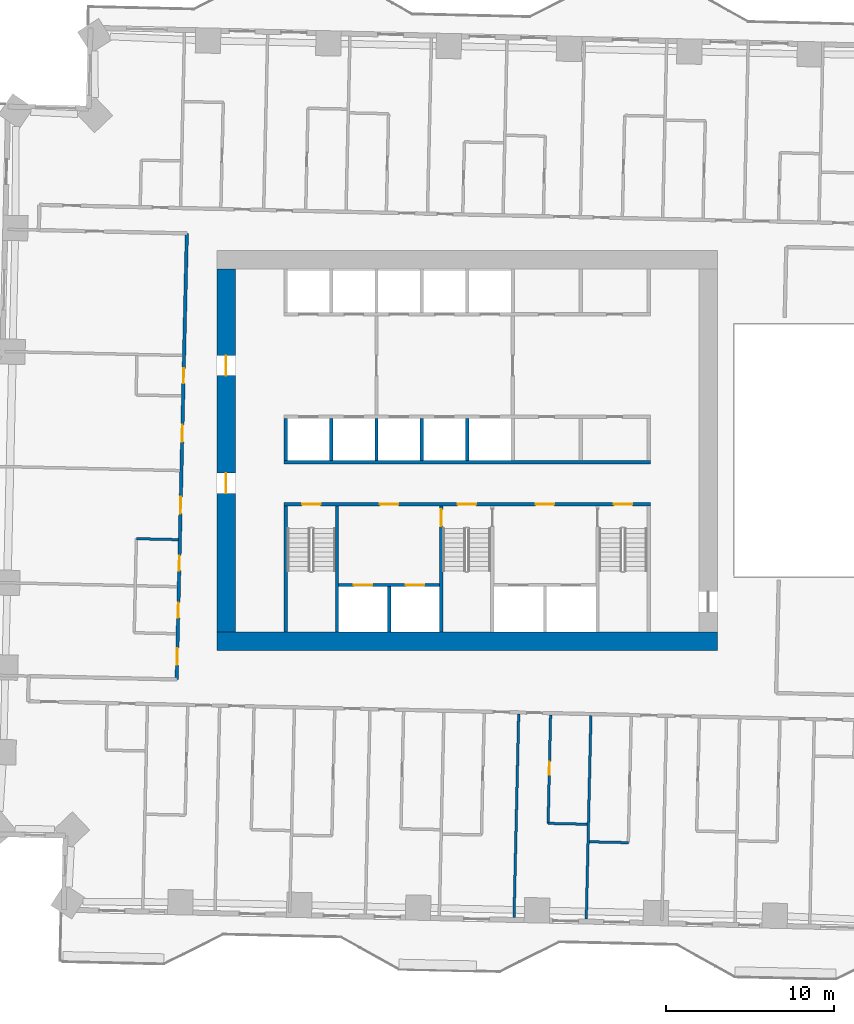
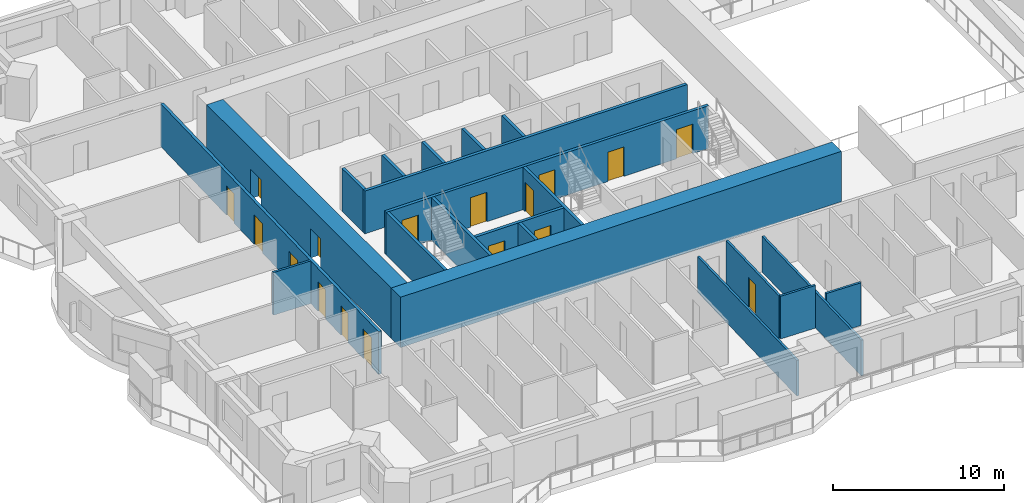
# One storey, part 9 of 20: 21 walls, 17 doors, 17 openings.
"""IFC4 building model written with IfcOpenShell, lengths in metres."""

from ifc_helpers import new_model, si_unit, direction, frame, frame_2d, origin, place, context, subcontext, project, spatial, rectangle, extrude, material, layer, layer_set, type_object, element, fill, save


model = new_model("IFC4")

# Units and contexts
model_context = context("Model", 3, precision=1e-05, world=origin(), true_north=direction((0.0, 1.0)))
body_context = subcontext(model_context, "Body", "Model", "MODEL_VIEW")
ifc_project = project(units=[si_unit("LENGTHUNIT", "METRE"), si_unit("AREAUNIT", "SQUARE_METRE"), si_unit("VOLUMEUNIT", "CUBIC_METRE"), si_unit("PLANEANGLEUNIT", "RADIAN"), si_unit("MASSUNIT", "GRAM", prefix="KILO")], contexts=[model_context])

# Site, building, storey
site_placement = place(None, origin())
site = spatial("IfcSite", under=ifc_project, at=site_placement, CompositionType="ELEMENT")
building_placement = place(site_placement, origin())
building = spatial("IfcBuilding", under=site, at=building_placement, Name="Mangrove Gate Tower", CompositionType="ELEMENT")
storey_placement = place(building_placement, frame((0.0, 0.0, 60.300048828125)))
storey = spatial("IfcBuildingStorey", under=building, at=storey_placement, Name="L14", CompositionType="ELEMENT", Elevation=60.300048828125)

# Wall
ifc_material_1 = material(Name="Concrete C70/85", Category="concrete")
ifc_layer_1 = layer(ifc_material_1, 0.199951171875)
ifc_layer_set_1 = layer_set([ifc_layer_1], Name="Core shaft wall 200 C70/85")
wall_type_1 = type_object("IfcWallType", Name="Core shaft wall 200 C70/85", PredefinedType="SHEAR", material=ifc_layer_set_1)
wall_1_placement = place(storey_placement, frame((-10.89990234375, -0.699951171875, 0.0), z_axis=(0.0, 0.0, 1.0), x_axis=(1.0, 0.0, 0.0)))
element("IfcWall", 1, at=wall_1_placement, inside=storey, type_object=wall_type_1, Name="WALL-L14-CORE-6", PredefinedType="SHEAR", context=body_context, shape_type="SweptSolid", body=[
    extrude(rectangle(XDim=21.7998046875, YDim=0.199951171875, at=frame_2d((10.89990234375, 0.0))), origin(), (0.0, 0.0, 1.0), 3.050048828125),
])

# Wall, openings, doors
wall_2_placement = place(storey_placement, frame((-7.64990234375, -8.0, 0.0), z_axis=(0.0, 0.0, 1.0), x_axis=(1.0, 0.0, 0.0)))
wall_2 = element("IfcWall", 2, at=wall_2_placement, inside=storey, type_object=wall_type_1, Name="WALL-L14-CORE-15", PredefinedType="SHEAR", context=body_context, shape_type="SweptSolid", body=[
    extrude(rectangle(XDim=6.0, YDim=0.199951171875, at=frame_2d((3.0, 0.0))), origin(), (0.0, 0.0, 1.0), 3.050048828125),
])
opening_1_placement = place(wall_2_placement, frame((0.89990234375, 0.0, 0.0)))
opening_1 = element("IfcOpeningElement", 3, at=opening_1_placement, cuts=wall_2, Name="Opening LD", PredefinedType="OPENING", context=body_context, shape_type="SweptSolid", body=[
    extrude(rectangle(XDim=1.10009765625, YDim=2.10009765625, at=frame_2d((0.550048828125, 1.050048828125))), frame((0.0, 0.10986328125, 0.0), z_axis=(0.0, -1.0, 0.0), x_axis=(1.0, 0.0, 0.0)), (0.0, 0.0, 1.0), 0.219970703125),
])
opening_2_placement = place(wall_2_placement, frame((4.0, 0.0, 0.0)))
opening_2 = element("IfcOpeningElement", 4, at=opening_2_placement, cuts=wall_2, Name="Opening LD", PredefinedType="OPENING", context=body_context, shape_type="SweptSolid", body=[
    extrude(rectangle(XDim=1.10009765625, YDim=2.10009765625, at=frame_2d((0.550048828125, 1.050048828125))), frame((0.0, 0.10986328125, 0.0), z_axis=(0.0, -1.0, 0.0), x_axis=(1.0, 0.0, 0.0)), (0.0, 0.0, 1.0), 0.219970703125),
])
ifc_material_2 = material(Name="Stainless steel 316", Category="steel")
door_type_1 = type_object("IfcDoorType", Name="Lift landing door 1100x2100", OperationType="SLIDING_TO_LEFT", PredefinedType="DOOR", material=ifc_material_2)
door_1_placement = place(opening_1_placement, origin())
door_1 = element("IfcDoor", 5, at=door_1_placement, inside=storey, type_object=door_type_1, Name="Landing door LD SVL1", OperationType="SLIDING_TO_LEFT", OverallHeight=2.10009765625, OverallWidth=1.10009765625, PredefinedType="DOOR", context=body_context, shape_type="SweptSolid", body=[
    extrude(rectangle(XDim=1.10009765625, YDim=2.10009765625, at=frame_2d((0.550048828125, 1.050048828125))), frame((0.0, 0.02490234375, 0.0), z_axis=(0.0, -1.0, 0.0), x_axis=(1.0, 0.0, 0.0)), (0.0, 0.0, 1.0), 0.050048828125),
])
fill(opening_1, door_1)
door_2_placement = place(opening_2_placement, origin())
door_2 = element("IfcDoor", 6, at=door_2_placement, inside=storey, type_object=door_type_1, Name="Landing door LD SVL2", OperationType="SLIDING_TO_LEFT", OverallHeight=2.10009765625, OverallWidth=1.10009765625, PredefinedType="DOOR", context=body_context, shape_type="SweptSolid", body=[
    extrude(rectangle(XDim=1.10009765625, YDim=2.10009765625, at=frame_2d((0.550048828125, 1.050048828125))), frame((0.0, 0.02490234375, 0.0), z_axis=(0.0, -1.0, 0.0), x_axis=(1.0, 0.0, 0.0)), (0.0, 0.0, 1.0), 0.050048828125),
])
fill(opening_2, door_2)

# Walls
wall_3_placement = place(storey_placement, frame((-4.64990234375, -10.800048828125, 0.0), z_axis=(0.0, 0.0, 1.0), x_axis=(0.0, 1.0, 0.0)))
element("IfcWall", 7, at=wall_3_placement, inside=storey, type_object=wall_type_1, Name="WALL-L14-CORE-16", PredefinedType="SHEAR", context=body_context, shape_type="SweptSolid", body=[
    extrude(rectangle(XDim=2.699951171875, YDim=0.199951171875, at=frame_2d((1.35009765625, 0.0))), origin(), (0.0, 0.0, 1.0), 3.050048828125),
])
for number, where, z_axis, x_axis, name in (
    (8, (-10.800048828125, -0.60009765625, 0.0), (0.0, 0.0, 1.0), (0.0, 1.0, 0.0), "WALL-L14-CORE-19"),
    (9, (-8.10009765625, -0.60009765625, 0.0), (0.0, 0.0, 1.0), (0.0, 1.0, 0.0), "WALL-L14-CORE-20"),
    (10, (-5.39990234375, -0.60009765625, 0.0), (0.0, 0.0, 1.0), (0.0, 1.0, 0.0), "WALL-L14-CORE-21"),
    (11, (-2.699951171875, -0.60009765625, 0.0), (0.0, 0.0, 1.0), (0.0, 1.0, 0.0), "WALL-L14-CORE-22"),
    (12, (0.0, -0.60009765625, 0.0), (0.0, 0.0, 1.0), (0.0, 1.0, 0.0), "WALL-L14-CORE-23"),
):
    element("IfcWall", number, at=place(storey_placement, frame(where, z_axis=z_axis, x_axis=x_axis)), inside=storey, type_object=wall_type_1, Name=name, PredefinedType="SHEAR", context=body_context, shape_type="SweptSolid", body=[
        extrude(rectangle(XDim=2.5, YDim=0.199951171875, at=frame_2d((1.25, 0.0))), origin(), (0.0, 0.0, 1.0), 3.050048828125),
    ])

# Wall, openings, doors
ifc_material_3 = material(Name="Concrete C70/85", Category="concrete")
ifc_layer_2 = layer(ifc_material_3, 0.199951171875)
ifc_layer_set_2 = layer_set([ifc_layer_2], Name="Core stair wall 200 C70/85")
wall_type_2 = type_object("IfcWallType", Name="Core stair wall 200 C70/85", PredefinedType="SHEAR", material=ifc_layer_set_2)
wall_4_placement = place(storey_placement, frame((-10.89990234375, -3.199951171875, 0.0), z_axis=(0.0, 0.0, 1.0), x_axis=(1.0, 0.0, 0.0)))
wall_4 = element("IfcWall", 13, at=wall_4_placement, inside=storey, type_object=wall_type_2, Name="WALL-L14-CORE-5", PredefinedType="SHEAR", context=body_context, shape_type="SweptSolid", body=[
    extrude(rectangle(XDim=21.7998046875, YDim=0.199951171875, at=frame_2d((10.89990234375, 0.0))), origin(), (0.0, 0.0, 1.0), 3.050048828125),
])
opening_3_placement = place(wall_4_placement, frame((1.074951171875, 0.0, 0.0)))
opening_3 = element("IfcOpeningElement", 14, at=opening_3_placement, cuts=wall_4, Name="Opening STD11", PredefinedType="OPENING", context=body_context, shape_type="SweptSolid", body=[
    extrude(rectangle(XDim=1.10009765625, YDim=2.10009765625, at=frame_2d((0.550048828125, 1.050048828125))), frame((0.0, 0.10986328125, 0.0), z_axis=(0.0, -1.0, 0.0), x_axis=(1.0, 0.0, 0.0)), (0.0, 0.0, 1.0), 0.219970703125),
])
opening_4_placement = place(wall_4_placement, frame((10.324951171875, 0.0, 0.0)))
opening_4 = element("IfcOpeningElement", 15, at=opening_4_placement, cuts=wall_4, Name="Opening STD11", PredefinedType="OPENING", context=body_context, shape_type="SweptSolid", body=[
    extrude(rectangle(XDim=1.10009765625, YDim=2.10009765625, at=frame_2d((0.550048828125, 1.050048828125))), frame((0.0, 0.10986328125, 0.0), z_axis=(0.0, -1.0, 0.0), x_axis=(1.0, 0.0, 0.0)), (0.0, 0.0, 1.0), 0.219970703125),
])
opening_5_placement = place(wall_4_placement, frame((19.625, 0.0, 0.0)))
opening_5 = element("IfcOpeningElement", 16, at=opening_5_placement, cuts=wall_4, Name="Opening STD11", PredefinedType="OPENING", context=body_context, shape_type="SweptSolid", body=[
    extrude(rectangle(XDim=1.10009765625, YDim=2.10009765625, at=frame_2d((0.550048828125, 1.050048828125))), frame((0.0, 0.10986328125, 0.0), z_axis=(0.0, -1.0, 0.0), x_axis=(1.0, 0.0, 0.0)), (0.0, 0.0, 1.0), 0.219970703125),
])
opening_6_placement = place(wall_4_placement, frame((5.699951171875, 0.0, 0.0)))
opening_6 = element("IfcOpeningElement", 17, at=opening_6_placement, cuts=wall_4, Name="Opening FL", PredefinedType="OPENING", context=body_context, shape_type="SweptSolid", body=[
    extrude(rectangle(XDim=1.10009765625, YDim=2.10009765625, at=frame_2d((0.550048828125, 1.050048828125))), frame((0.0, 0.10986328125, 0.0), z_axis=(0.0, -1.0, 0.0), x_axis=(1.0, 0.0, 0.0)), (0.0, 0.0, 1.0), 0.219970703125),
])
opening_7_placement = place(wall_4_placement, frame((14.97509765625, 0.0, 0.0)))
opening_7 = element("IfcOpeningElement", 18, at=opening_7_placement, cuts=wall_4, Name="Opening FL", PredefinedType="OPENING", context=body_context, shape_type="SweptSolid", body=[
    extrude(rectangle(XDim=1.10009765625, YDim=2.10009765625, at=frame_2d((0.550048828125, 1.050048828125))), frame((0.0, 0.10986328125, 0.0), z_axis=(0.0, -1.0, 0.0), x_axis=(1.0, 0.0, 0.0)), (0.0, 0.0, 1.0), 0.219970703125),
])
ifc_material_4 = material(Name="Fire-rated steel door set", Category="steel")
door_type_2 = type_object("IfcDoorType", Name="Lobby door FD60 1100x2100", OperationType="SINGLE_SWING_LEFT", PredefinedType="DOOR", material=ifc_material_4)
door_3_placement = place(opening_6_placement, origin())
door_3 = element("IfcDoor", 19, at=door_3_placement, inside=storey, type_object=door_type_2, Name="Lobby door service lobby", OperationType="SINGLE_SWING_LEFT", OverallHeight=2.10009765625, OverallWidth=1.10009765625, PredefinedType="DOOR", context=body_context, shape_type="SweptSolid", body=[
    extrude(rectangle(XDim=1.10009765625, YDim=2.10009765625, at=frame_2d((0.550048828125, 1.050048828125))), frame((0.0, 0.02490234375, 0.0), z_axis=(0.0, -1.0, 0.0), x_axis=(1.0, 0.0, 0.0)), (0.0, 0.0, 1.0), 0.050048828125),
])
fill(opening_6, door_3)
door_4_placement = place(opening_7_placement, origin())
door_4 = element("IfcDoor", 20, at=door_4_placement, inside=storey, type_object=door_type_2, Name="Lobby door fire-fighting lobby", OperationType="SINGLE_SWING_LEFT", OverallHeight=2.10009765625, OverallWidth=1.10009765625, PredefinedType="DOOR", context=body_context, shape_type="SweptSolid", body=[
    extrude(rectangle(XDim=1.10009765625, YDim=2.10009765625, at=frame_2d((0.550048828125, 1.050048828125))), frame((0.0, 0.02490234375, 0.0), z_axis=(0.0, -1.0, 0.0), x_axis=(1.0, 0.0, 0.0)), (0.0, 0.0, 1.0), 0.050048828125),
])
fill(opening_7, door_4)
ifc_material_5 = material(Name="Fire-rated steel door set", Category="steel")
door_type_3 = type_object("IfcDoorType", Name="Stair door FD60 1100x2100", OperationType="SINGLE_SWING_RIGHT", PredefinedType="DOOR", material=ifc_material_5)
door_5_placement = place(opening_3_placement, origin())
door_5 = element("IfcDoor", 21, at=door_5_placement, inside=storey, type_object=door_type_3, Name="Stair door Stair 1", OperationType="SINGLE_SWING_RIGHT", OverallHeight=2.10009765625, OverallWidth=1.10009765625, PredefinedType="DOOR", context=body_context, shape_type="SweptSolid", body=[
    extrude(rectangle(XDim=1.10009765625, YDim=2.10009765625, at=frame_2d((0.550048828125, 1.050048828125))), frame((0.0, 0.02490234375, 0.0), z_axis=(0.0, -1.0, 0.0), x_axis=(1.0, 0.0, 0.0)), (0.0, 0.0, 1.0), 0.050048828125),
])
fill(opening_3, door_5)
door_6_placement = place(opening_4_placement, origin())
door_6 = element("IfcDoor", 22, at=door_6_placement, inside=storey, type_object=door_type_3, Name="Stair door Stair 2", OperationType="SINGLE_SWING_RIGHT", OverallHeight=2.10009765625, OverallWidth=1.10009765625, PredefinedType="DOOR", context=body_context, shape_type="SweptSolid", body=[
    extrude(rectangle(XDim=1.10009765625, YDim=2.10009765625, at=frame_2d((0.550048828125, 1.050048828125))), frame((0.0, 0.02490234375, 0.0), z_axis=(0.0, -1.0, 0.0), x_axis=(1.0, 0.0, 0.0)), (0.0, 0.0, 1.0), 0.050048828125),
])
fill(opening_4, door_6)
door_7_placement = place(opening_5_placement, origin())
door_7 = element("IfcDoor", 23, at=door_7_placement, inside=storey, type_object=door_type_3, Name="Stair door Stair 3", OperationType="SINGLE_SWING_RIGHT", OverallHeight=2.10009765625, OverallWidth=1.10009765625, PredefinedType="DOOR", context=body_context, shape_type="SweptSolid", body=[
    extrude(rectangle(XDim=1.10009765625, YDim=2.10009765625, at=frame_2d((0.550048828125, 1.050048828125))), frame((0.0, 0.02490234375, 0.0), z_axis=(0.0, -1.0, 0.0), x_axis=(1.0, 0.0, 0.0)), (0.0, 0.0, 1.0), 0.050048828125),
])
fill(opening_5, door_7)

# Walls
for number, where, z_axis, x_axis, name in (
    (24, (-10.800048828125, -10.800048828125, 0.0), (0.0, 0.0, 1.0), (0.0, 1.0, 0.0), "WALL-L14-CORE-9"),
    (25, (-7.75, -10.800048828125, 0.0), (0.0, 0.0, 1.0), (0.0, 1.0, 0.0), "WALL-L14-CORE-10"),
):
    element("IfcWall", number, at=place(storey_placement, frame(where, z_axis=z_axis, x_axis=x_axis)), inside=storey, type_object=wall_type_2, Name=name, PredefinedType="SHEAR", context=body_context, shape_type="SweptSolid", body=[
        extrude(rectangle(XDim=7.5, YDim=0.199951171875, at=frame_2d((3.75, 0.0))), origin(), (0.0, 0.0, 1.0), 3.050048828125),
    ])

# Wall, opening, door
wall_5_placement = place(storey_placement, frame((-1.550048828125, -10.800048828125, 0.0), z_axis=(0.0, 0.0, 1.0), x_axis=(0.0, 1.0, 0.0)))
wall_5 = element("IfcWall", 26, at=wall_5_placement, inside=storey, type_object=wall_type_2, Name="WALL-L14-CORE-11", PredefinedType="SHEAR", context=body_context, shape_type="SweptSolid", body=[
    extrude(rectangle(XDim=7.5, YDim=0.199951171875, at=frame_2d((3.75, 0.0))), origin(), (0.0, 0.0, 1.0), 3.050048828125),
])
opening_8_placement = place(wall_5_placement, frame((6.300048828125, 0.0, 0.0)))
opening_8 = element("IfcOpeningElement", 27, at=opening_8_placement, cuts=wall_5, Name="Opening STD10", PredefinedType="OPENING", context=body_context, shape_type="SweptSolid", body=[
    extrude(rectangle(XDim=1.0, YDim=2.10009765625, at=frame_2d((0.5, 1.050048828125))), frame((0.0, 0.10986328125, 0.0), z_axis=(0.0, -1.0, 0.0), x_axis=(1.0, 0.0, 0.0)), (0.0, 0.0, 1.0), 0.219970703125),
])
ifc_material_6 = material(Name="Fire-rated steel door set", Category="steel")
door_type_4 = type_object("IfcDoorType", Name="Stair door FD60 1000x2100", OperationType="SINGLE_SWING_RIGHT", PredefinedType="DOOR", material=ifc_material_6)
door_8_placement = place(opening_8_placement, origin())
door_8 = element("IfcDoor", 28, at=door_8_placement, inside=storey, type_object=door_type_4, Name="Stair door Stair 2 from service lobby", OperationType="SINGLE_SWING_RIGHT", OverallHeight=2.10009765625, OverallWidth=1.0, PredefinedType="DOOR", context=body_context, shape_type="SweptSolid", body=[
    extrude(rectangle(XDim=1.0, YDim=2.10009765625, at=frame_2d((0.5, 1.050048828125))), frame((0.0, 0.02490234375, 0.0), z_axis=(0.0, -1.0, 0.0), x_axis=(1.0, 0.0, 0.0)), (0.0, 0.0, 1.0), 0.050048828125),
])
fill(opening_8, door_8)

# Wall
ifc_material_7 = material(Name="Concrete C70/85", Category="concrete")
ifc_layer_3 = layer(ifc_material_7, 1.10009765625)
ifc_layer_set_3 = layer_set([ifc_layer_3], Name="Core wall 1100 C70/85")
wall_type_3 = type_object("IfcWallType", Name="Core wall 1100 C70/85", PredefinedType="SHEAR", material=ifc_layer_set_3)
wall_6_placement = place(storey_placement, frame((-14.89990234375, -11.35009765625, 0.0), z_axis=(0.0, 0.0, 1.0), x_axis=(1.0, 0.0, 0.0)))
element("IfcWall", 29, at=wall_6_placement, inside=storey, type_object=wall_type_3, Name="WALL-L14-CORE-1", PredefinedType="SHEAR", context=body_context, shape_type="SweptSolid", body=[
    extrude(rectangle(XDim=29.7998046875, YDim=1.10009765625, at=frame_2d((14.89990234375, 0.0))), origin(), (0.0, 0.0, 1.0), 3.599853515625),
])

# Wall, openings, doors
wall_7_placement = place(storey_placement, frame((-14.35009765625, -10.800048828125, 0.0), z_axis=(0.0, 0.0, 1.0), x_axis=(0.0, 1.0, 0.0)))
wall_7 = element("IfcWall", 30, at=wall_7_placement, inside=storey, type_object=wall_type_3, Name="WALL-L14-CORE-3", PredefinedType="SHEAR", context=body_context, shape_type="SweptSolid", body=[
    extrude(rectangle(XDim=21.60009765625, YDim=1.10009765625, at=frame_2d((10.800048828125, 0.0))), origin(), (0.0, 0.0, 1.0), 3.599853515625),
])
opening_9_placement = place(wall_7_placement, frame((8.25, 0.0, 0.0)))
opening_9 = element("IfcOpeningElement", 31, at=opening_9_placement, cuts=wall_7, Name="Opening CD", PredefinedType="OPENING", context=body_context, shape_type="SweptSolid", body=[
    extrude(rectangle(XDim=1.199951171875, YDim=2.10009765625, at=frame_2d((0.60009765625, 1.050048828125))), frame((0.0, 0.56005859375, 0.0), z_axis=(0.0, -1.0, 0.0), x_axis=(1.0, 0.0, 0.0)), (0.0, 0.0, 1.0), 1.1201171875),
])
opening_10_placement = place(wall_7_placement, frame((15.25, 0.0, 0.0)))
opening_10 = element("IfcOpeningElement", 32, at=opening_10_placement, cuts=wall_7, Name="Opening CD", PredefinedType="OPENING", context=body_context, shape_type="SweptSolid", body=[
    extrude(rectangle(XDim=1.199951171875, YDim=2.10009765625, at=frame_2d((0.60009765625, 1.050048828125))), frame((0.0, 0.56005859375, 0.0), z_axis=(0.0, -1.0, 0.0), x_axis=(1.0, 0.0, 0.0)), (0.0, 0.0, 1.0), 1.1201171875),
])
ifc_material_8 = material(Name="Fire-rated steel door set", Category="steel")
door_type_5 = type_object("IfcDoorType", Name="Core ring door FD60 1200x2100", OperationType="DOUBLE_DOOR_SINGLE_SWING", PredefinedType="DOOR", material=ifc_material_8)
door_9_placement = place(opening_9_placement, origin())
door_9 = element("IfcDoor", 33, at=door_9_placement, inside=storey, type_object=door_type_5, Name="Core ring door W1", OperationType="DOUBLE_DOOR_SINGLE_SWING", OverallHeight=2.10009765625, OverallWidth=1.199951171875, PredefinedType="DOOR", context=body_context, shape_type="SweptSolid", body=[
    extrude(rectangle(XDim=1.199951171875, YDim=2.10009765625, at=frame_2d((0.60009765625, 1.050048828125))), frame((0.0, 0.02490234375, 0.0), z_axis=(0.0, -1.0, 0.0), x_axis=(1.0, 0.0, 0.0)), (0.0, 0.0, 1.0), 0.050048828125),
])
fill(opening_9, door_9)
door_10_placement = place(opening_10_placement, origin())
door_10 = element("IfcDoor", 34, at=door_10_placement, inside=storey, type_object=door_type_5, Name="Core ring door W2", OperationType="DOUBLE_DOOR_SINGLE_SWING", OverallHeight=2.10009765625, OverallWidth=1.199951171875, PredefinedType="DOOR", context=body_context, shape_type="SweptSolid", body=[
    extrude(rectangle(XDim=1.199951171875, YDim=2.10009765625, at=frame_2d((0.60009765625, 1.050048828125))), frame((0.0, 0.02490234375, 0.0), z_axis=(0.0, -1.0, 0.0), x_axis=(1.0, 0.0, 0.0)), (0.0, 0.0, 1.0), 0.050048828125),
])
fill(opening_10, door_10)

ifc_material_9 = material(Name="Gypsum board on steel stud, EI 60", Category="steel")
ifc_layer_4 = layer(ifc_material_9, 0.199951171875)
ifc_layer_set_4 = layer_set([ifc_layer_4], Name="Corridor wall EI 60")
wall_type_4 = type_object("IfcWallType", Name="Corridor wall EI 60", PredefinedType="PARTITIONING", material=ifc_layer_set_4)
wall_8_placement = place(storey_placement, frame((-17.287109375, -13.625, 0.0), z_axis=(0.0, 0.0, 1.0), x_axis=(0.022712214871, 0.999742044377, 0.0)))
wall_8 = element("IfcWall", 35, at=wall_8_placement, inside=storey, type_object=wall_type_4, Name="WALL-L14-038", PredefinedType="PARTITIONING", context=body_context, shape_type="SweptSolid", body=[
    extrude(rectangle(XDim=26.55078125, YDim=0.199951171875, at=frame_2d((13.275390625, 0.0))), origin(), (0.0, 0.0, 1.0), 3.050048828125),
])
opening_11_placement = place(wall_8_placement, frame((14.14990234375, 0.0, 0.0)))
opening_11 = element("IfcOpeningElement", 36, at=opening_11_placement, cuts=wall_8, Name="Opening AD", PredefinedType="OPENING", context=body_context, shape_type="SweptSolid", body=[
    extrude(rectangle(XDim=1.0, YDim=2.10009765625, at=frame_2d((0.5, 1.050048828125))), frame((0.0, 0.10986328125, 0.0), z_axis=(0.0, -1.0, 0.0), x_axis=(1.0, 0.0, 0.0)), (0.0, 0.0, 1.0), 0.219970703125),
])
opening_12_placement = place(wall_8_placement, frame((17.625, 0.0, 0.0)))
opening_12 = element("IfcOpeningElement", 37, at=opening_12_placement, cuts=wall_8, Name="Opening SD", PredefinedType="OPENING", context=body_context, shape_type="SweptSolid", body=[
    extrude(rectangle(XDim=0.89990234375, YDim=2.10009765625, at=frame_2d((0.449951171875, 1.050048828125))), frame((0.0, 0.10986328125, 0.0), z_axis=(0.0, -1.0, 0.0), x_axis=(1.0, 0.0, 0.0)), (0.0, 0.0, 1.0), 0.219970703125),
])
opening_13_placement = place(wall_8_placement, frame((9.875, 0.0, 0.0)))
opening_13 = element("IfcOpeningElement", 38, at=opening_13_placement, cuts=wall_8, Name="Opening AD", PredefinedType="OPENING", context=body_context, shape_type="SweptSolid", body=[
    extrude(rectangle(XDim=1.0, YDim=2.10009765625, at=frame_2d((0.5, 1.050048828125))), frame((0.0, 0.10986328125, 0.0), z_axis=(0.0, -1.0, 0.0), x_axis=(1.0, 0.0, 0.0)), (0.0, 0.0, 1.0), 0.219970703125),
])
opening_14_placement = place(wall_8_placement, frame((6.47509765625, 0.0, 0.0)))
opening_14 = element("IfcOpeningElement", 39, at=opening_14_placement, cuts=wall_8, Name="Opening SD", PredefinedType="OPENING", context=body_context, shape_type="SweptSolid", body=[
    extrude(rectangle(XDim=0.89990234375, YDim=2.10009765625, at=frame_2d((0.449951171875, 1.050048828125))), frame((0.0, 0.10986328125, 0.0), z_axis=(0.0, -1.0, 0.0), x_axis=(1.0, 0.0, 0.0)), (0.0, 0.0, 1.0), 0.219970703125),
])
opening_15_placement = place(wall_8_placement, frame((0.862060546875, 0.0, 0.0)))
opening_15 = element("IfcOpeningElement", 40, at=opening_15_placement, cuts=wall_8, Name="Opening AD", PredefinedType="OPENING", context=body_context, shape_type="SweptSolid", body=[
    extrude(rectangle(XDim=1.0, YDim=2.10009765625, at=frame_2d((0.5, 1.050048828125))), frame((0.0, 0.10986328125, 0.0), z_axis=(0.0, -1.0, 0.0), x_axis=(1.0, 0.0, 0.0)), (0.0, 0.0, 1.0), 0.219970703125),
])
opening_16_placement = place(wall_8_placement, frame((3.675048828125, 0.0, 0.0)))
opening_16 = element("IfcOpeningElement", 41, at=opening_16_placement, cuts=wall_8, Name="Opening SD", PredefinedType="OPENING", context=body_context, shape_type="SweptSolid", body=[
    extrude(rectangle(XDim=0.89990234375, YDim=2.10009765625, at=frame_2d((0.449951171875, 1.050048828125))), frame((0.0, 0.10986328125, 0.0), z_axis=(0.0, -1.0, 0.0), x_axis=(1.0, 0.0, 0.0)), (0.0, 0.0, 1.0), 0.219970703125),
])
ifc_material_10 = material(Name="Timber door leaf", Category="wood")
door_type_6 = type_object("IfcDoorType", Name="Amenity door 1000", OperationType="SINGLE_SWING_LEFT", PredefinedType="DOOR", material=ifc_material_10)
door_11_placement = place(opening_11_placement, origin())
door_11 = element("IfcDoor", 42, at=door_11_placement, inside=storey, type_object=door_type_6, Name="DOOR-L14-GAM-c5a", OperationType="SINGLE_SWING_RIGHT", OverallHeight=2.10009765625, OverallWidth=1.0, PredefinedType="DOOR", context=body_context, shape_type="SweptSolid", body=[
    extrude(rectangle(XDim=1.0, YDim=2.10009765625, at=frame_2d((0.5, 1.050048828125))), frame((0.0, 0.02490234375, 0.0), z_axis=(0.0, -1.0, 0.0), x_axis=(1.0, 0.0, 0.0)), (0.0, 0.0, 1.0), 0.050048828125),
])
fill(opening_11, door_11)
door_12_placement = place(opening_13_placement, origin())
door_12 = element("IfcDoor", 43, at=door_12_placement, inside=storey, type_object=door_type_6, Name="DOOR-L14-LNG-c5b", OperationType="SINGLE_SWING_LEFT", OverallHeight=2.10009765625, OverallWidth=1.0, PredefinedType="DOOR", context=body_context, shape_type="SweptSolid", body=[
    extrude(rectangle(XDim=1.0, YDim=2.10009765625, at=frame_2d((0.5, 1.050048828125))), frame((0.0, 0.02490234375, 0.0), z_axis=(0.0, -1.0, 0.0), x_axis=(1.0, 0.0, 0.0)), (0.0, 0.0, 1.0), 0.050048828125),
])
fill(opening_13, door_12)
door_13_placement = place(opening_15_placement, origin())
door_13 = element("IfcDoor", 44, at=door_13_placement, inside=storey, type_object=door_type_6, Name="DOOR-L14-GAM-c5b", OperationType="SINGLE_SWING_RIGHT", OverallHeight=2.10009765625, OverallWidth=1.0, PredefinedType="DOOR", context=body_context, shape_type="SweptSolid", body=[
    extrude(rectangle(XDim=1.0, YDim=2.10009765625, at=frame_2d((0.5, 1.050048828125))), frame((0.0, 0.02490234375, 0.0), z_axis=(0.0, -1.0, 0.0), x_axis=(1.0, 0.0, 0.0)), (0.0, 0.0, 1.0), 0.050048828125),
])
fill(opening_15, door_13)
ifc_material_11 = material(Name="Timber door leaf", Category="wood")
door_type_7 = type_object("IfcDoorType", Name="Service room door 900", OperationType="SINGLE_SWING_LEFT", PredefinedType="DOOR", material=ifc_material_11)
door_14_placement = place(opening_12_placement, origin())
door_14 = element("IfcDoor", 45, at=door_14_placement, inside=storey, type_object=door_type_7, Name="DOOR-L14-WC-c5b", OperationType="SINGLE_SWING_LEFT", OverallHeight=2.10009765625, OverallWidth=0.89990234375, PredefinedType="DOOR", context=body_context, shape_type="SweptSolid", body=[
    extrude(rectangle(XDim=0.89990234375, YDim=2.10009765625, at=frame_2d((0.449951171875, 1.050048828125))), frame((0.0, 0.02490234375, 0.0), z_axis=(0.0, -1.0, 0.0), x_axis=(1.0, 0.0, 0.0)), (0.0, 0.0, 1.0), 0.050048828125),
])
fill(opening_12, door_14)
door_15_placement = place(opening_14_placement, origin())
door_15 = element("IfcDoor", 46, at=door_15_placement, inside=storey, type_object=door_type_7, Name="DOOR-L14-LDY-c5a", OperationType="SINGLE_SWING_RIGHT", OverallHeight=2.10009765625, OverallWidth=0.89990234375, PredefinedType="DOOR", context=body_context, shape_type="SweptSolid", body=[
    extrude(rectangle(XDim=0.89990234375, YDim=2.10009765625, at=frame_2d((0.449951171875, 1.050048828125))), frame((0.0, 0.02490234375, 0.0), z_axis=(0.0, -1.0, 0.0), x_axis=(1.0, 0.0, 0.0)), (0.0, 0.0, 1.0), 0.050048828125),
])
fill(opening_14, door_15)
door_16_placement = place(opening_16_placement, origin())
door_16 = element("IfcDoor", 47, at=door_16_placement, inside=storey, type_object=door_type_7, Name="DOOR-L14-LDY-c5b", OperationType="SINGLE_SWING_LEFT", OverallHeight=2.10009765625, OverallWidth=0.89990234375, PredefinedType="DOOR", context=body_context, shape_type="SweptSolid", body=[
    extrude(rectangle(XDim=0.89990234375, YDim=2.10009765625, at=frame_2d((0.449951171875, 1.050048828125))), frame((0.0, 0.02490234375, 0.0), z_axis=(0.0, -1.0, 0.0), x_axis=(1.0, 0.0, 0.0)), (0.0, 0.0, 1.0), 0.050048828125),
])
fill(opening_16, door_16)

# Walls
ifc_material_12 = material(Name="Gypsum board on steel stud, EI 60", Category="steel")
ifc_layer_5 = layer(ifc_material_12, 0.14990234375)
ifc_layer_set_5 = layer_set([ifc_layer_5], Name="Party wall 150 EI 60")
wall_type_5 = type_object("IfcWallType", Name="Party wall 150 EI 60", PredefinedType="PARTITIONING", material=ifc_layer_set_5)
wall_9_placement = place(storey_placement, frame((2.787109375, -27.783935546875, 0.0), z_axis=(0.0, 0.0, 1.0), x_axis=(0.022719113715, 0.999741887625, 0.0)))
element("IfcWall", 48, at=wall_9_placement, inside=storey, type_object=wall_type_5, Name="WALL-L14-006", PredefinedType="PARTITIONING", context=body_context, shape_type="SweptSolid", body=[
    extrude(rectangle(XDim=12.10009765625, YDim=0.14990234375, at=frame_2d((6.050048828125, 0.0))), origin(), (0.0, 0.0, 1.0), 2.550048828125),
])
wall_10_placement = place(storey_placement, frame((7.0859375, -27.882080078125, 0.0), z_axis=(0.0, 0.0, 1.0), x_axis=(0.022736986912, 0.999741481297, 0.0)))
element("IfcWall", 49, at=wall_10_placement, inside=storey, type_object=wall_type_5, Name="WALL-L14-007", PredefinedType="PARTITIONING", context=body_context, shape_type="SweptSolid", body=[
    extrude(rectangle(XDim=12.101318359375, YDim=0.14990234375, at=frame_2d((6.05078125, 0.0))), origin(), (0.0, 0.0, 1.0), 2.550048828125),
])
wall_11_placement = place(storey_placement, frame((7.26806640625, -23.283935546875, 0.0), z_axis=(0.0, 0.0, 1.0), x_axis=(0.999740260747, -0.02279059109, 0.0)))
element("IfcWall", 50, at=wall_11_placement, inside=storey, type_object=wall_type_5, Name="WALL-L14-013", PredefinedType="PARTITIONING", context=body_context, shape_type="SweptSolid", body=[
    extrude(rectangle(XDim=2.324462890625, YDim=0.14990234375, at=frame_2d((1.162109375, 0.0))), origin(), (0.0, 0.0, 1.0), 3.050048828125),
])

# Wall, opening, door
wall_12_placement = place(storey_placement, frame((4.81494140625, -22.18798828125, 0.0), z_axis=(0.0, 0.0, 1.0), x_axis=(0.022601211511, 0.999744559994, 0.0)))
wall_12 = element("IfcWall", 51, at=wall_12_placement, inside=storey, type_object=wall_type_5, Name="WALL-L14-027", PredefinedType="PARTITIONING", context=body_context, shape_type="SweptSolid", body=[
    extrude(rectangle(XDim=6.459716796875, YDim=0.14990234375, at=frame_2d((3.22998046875, 0.0))), origin(), (0.0, 0.0, 1.0), 3.050048828125),
])
opening_17_placement = place(wall_12_placement, frame((2.8798828125, 0.0, 0.0)))
opening_17 = element("IfcOpeningElement", 52, at=opening_17_placement, cuts=wall_12, Name="Opening ED", PredefinedType="OPENING", context=body_context, shape_type="SweptSolid", body=[
    extrude(rectangle(XDim=0.800048828125, YDim=2.10009765625, at=frame_2d((0.39990234375, 1.050048828125))), frame((0.0, 0.0849609375, 0.0), z_axis=(0.0, -1.0, 0.0), x_axis=(1.0, 0.0, 0.0)), (0.0, 0.0, 1.0), 0.169921875),
])
ifc_material_13 = material(Name="Timber door leaf", Category="wood")
door_type_8 = type_object("IfcDoorType", Name="En-suite door 800", OperationType="SINGLE_SWING_LEFT", PredefinedType="DOOR", material=ifc_material_13)
door_17_placement = place(opening_17_placement, origin())
door_17 = element("IfcDoor", 53, at=door_17_placement, inside=storey, type_object=door_type_8, Name="DOOR-L14-ENS-c206", OperationType="SINGLE_SWING_RIGHT", OverallHeight=2.10009765625, OverallWidth=0.800048828125, PredefinedType="DOOR", context=body_context, shape_type="SweptSolid", body=[
    extrude(rectangle(XDim=0.800048828125, YDim=2.10009765625, at=frame_2d((0.39990234375, 1.050048828125))), frame((0.0, 0.02490234375, 0.0), z_axis=(0.0, -1.0, 0.0), x_axis=(1.0, 0.0, 0.0)), (0.0, 0.0, 1.0), 0.050048828125),
])
fill(opening_17, door_17)

# Walls
wall_13_placement = place(storey_placement, frame((4.81689453125, -22.18798828125, 0.0), z_axis=(0.0, 0.0, 1.0), x_axis=(0.99974031529, -0.022788198363, 0.0)))
element("IfcWall", 54, at=wall_13_placement, inside=storey, type_object=wall_type_5, Name="WALL-L14-028", PredefinedType="PARTITIONING", context=body_context, shape_type="SweptSolid", body=[
    extrude(rectangle(XDim=2.32470703125, YDim=0.14990234375, at=frame_2d((1.162353515625, 0.0))), origin(), (0.0, 0.0, 1.0), 3.050048828125),
])
wall_14_placement = place(storey_placement, frame((-19.69189453125, -5.248046875, 0.0), z_axis=(0.0, 0.0, 1.0), x_axis=(0.999740977561, -0.022759125332, 0.0)))
element("IfcWall", 55, at=wall_14_placement, inside=storey, type_object=wall_type_5, Name="WALL-L14-045", PredefinedType="PARTITIONING", context=body_context, shape_type="SweptSolid", body=[
    extrude(rectangle(XDim=2.49951171875, YDim=0.14990234375, at=frame_2d((1.249755859375, 0.0))), origin(), (0.0, 0.0, 1.0), 3.050048828125),
])

save(model, "model.ifc")
